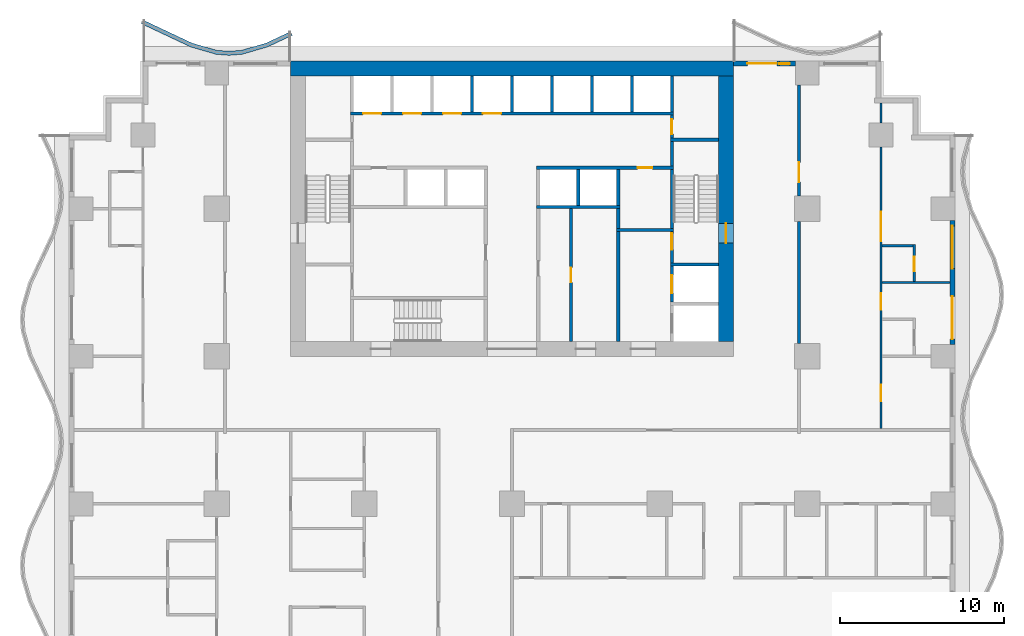
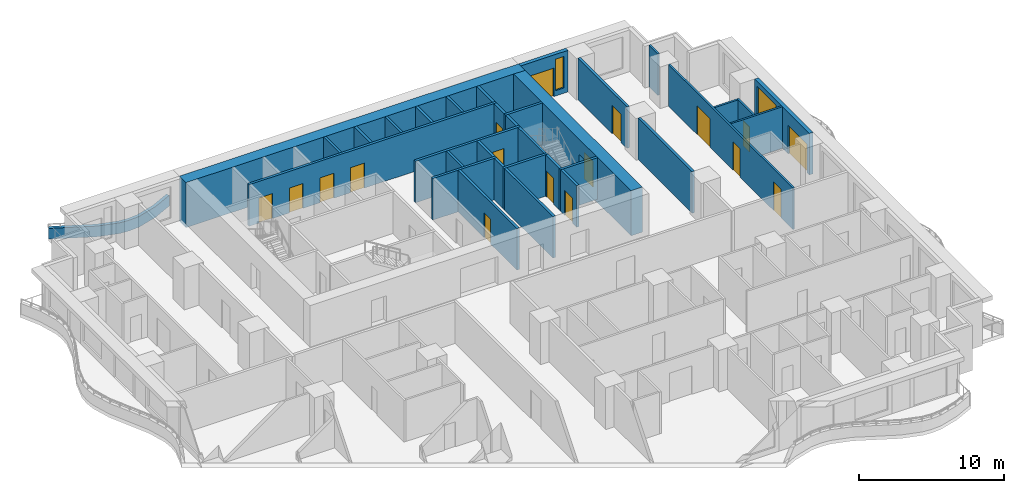
# One storey, part 6 of 14: 34 walls, 17 doors, 2 windows, 19 openings.
"""IFC4 building model written with IfcOpenShell, lengths in metres."""

from ifc_helpers import new_model, si_unit, direction, frame, frame_2d, origin, place, context, subcontext, project, spatial, polyline, rectangle, outline, extrude, material, layer, layer_set, type_object, element, fill, save


model = new_model("IFC4")

# Units and contexts
model_context = context("Model", 3, precision=1e-05, world=origin(), true_north=direction((0.0, 1.0)))
body_context = subcontext(model_context, "Body", "Model", "MODEL_VIEW")
ifc_project = project(units=[si_unit("LENGTHUNIT", "METRE"), si_unit("AREAUNIT", "SQUARE_METRE"), si_unit("VOLUMEUNIT", "CUBIC_METRE"), si_unit("PLANEANGLEUNIT", "RADIAN"), si_unit("MASSUNIT", "GRAM", prefix="KILO")], contexts=[model_context])

# Site, building, storey
site_placement = place(None, origin())
site = spatial("IfcSite", under=ifc_project, at=site_placement, CompositionType="ELEMENT")
building_placement = place(site_placement, origin())
building = spatial("IfcBuilding", under=site, at=building_placement, Name="Orbiselva Terraces", CompositionType="ELEMENT")
storey_placement = place(building_placement, frame((0.0, 0.0, 30.2)))
storey = spatial("IfcBuildingStorey", under=building, at=storey_placement, Name="L07", CompositionType="ELEMENT", Elevation=30.2)

# Wall, opening, door
ifc_material_1 = material(Name="Concrete C80/95", Category="concrete")
ifc_layer_1 = layer(ifc_material_1, 0.9)
ifc_layer_set_1 = layer_set([ifc_layer_1], Name="Concrete C80/95")
wall_type_1 = type_object("IfcWallType", Name="CORE WALL 900", PredefinedType="SHEAR", material=ifc_layer_set_1)
wall_1_placement = place(storey_placement, frame((13.05, 5.4, -0.3), z_axis=(0.0, 0.0, 1.0), x_axis=(0.0, 1.0, 0.0)))
wall_1 = element("IfcWall", 1, at=wall_1_placement, inside=storey, type_object=wall_type_1, Name="Core wall L07 east", PredefinedType="SHEAR", context=body_context, shape_type="SweptSolid", body=[
    extrude(rectangle(XDim=16.2, YDim=0.9, at=frame_2d((8.1, 0.0))), origin(), (0.0, 0.0, 1.0), 3.8),
])
opening_1_placement = place(wall_1_placement, frame((6.0, 0.0, 0.3)))
opening_1 = element("IfcOpeningElement", 2, at=opening_1_placement, cuts=wall_1, Name="Opening DS1200", PredefinedType="OPENING", context=body_context, shape_type="SweptSolid", body=[
    extrude(rectangle(XDim=1.2, YDim=2.2, at=frame_2d((0.6, 1.1))), frame((0.0, 0.46, 0.0), z_axis=(0.0, -1.0, 0.0), x_axis=(1.0, 0.0, 0.0)), (0.0, 0.0, 1.0), 0.92),
])
ifc_material_2 = material(Name="Steel fire door", Category="steel")
door_type_1 = type_object("IfcDoorType", Name="STAIR DOOR 1200", OperationType="NOTDEFINED", PredefinedType="DOOR", material=ifc_material_2)
door_1_placement = place(opening_1_placement, frame((1.2, 0.0, 0.0), z_axis=(0.0, 0.0, 1.0), x_axis=(-1.0, 0.0, 0.0)))
door_1 = element("IfcDoor", 3, at=door_1_placement, inside=storey, type_object=door_type_1, Name="L07 EXIT STAIR S2 door", OperationType="SINGLE_SWING_LEFT", OverallHeight=2.2, OverallWidth=1.2, PredefinedType="DOOR", context=body_context, shape_type="SweptSolid", body=[
    extrude(rectangle(XDim=1.2, YDim=2.2, at=frame_2d((0.6, 1.1))), frame((0.0, 0.025, 0.0), z_axis=(0.0, -1.0, 0.0), x_axis=(1.0, 0.0, 0.0)), (0.0, 0.0, 1.0), 0.05),
])
fill(opening_1, door_1)

# Wall
ifc_layer_2 = layer(ifc_material_1, 0.9)
ifc_layer_set_2 = layer_set([ifc_layer_2], Name="Concrete C80/95")
wall_type_2 = type_object("IfcWallType", Name="CORE WALL 900 EXTERNAL", PredefinedType="SHEAR", material=ifc_layer_set_2)
wall_2_placement = place(storey_placement, frame((13.5, 22.05, -0.3), z_axis=(0.0, 0.0, 1.0), x_axis=(-1.0, 0.0, 0.0)))
element("IfcWall", 4, at=wall_2_placement, inside=storey, type_object=wall_type_2, Name="Core wall L07 north", PredefinedType="SHEAR", context=body_context, shape_type="SweptSolid", body=[
    extrude(rectangle(XDim=27.0, YDim=0.9, at=frame_2d((13.5, 0.0))), origin(), (0.0, 0.0, 1.0), 3.8),
])

# Wall, opening, door
ifc_material_3 = material(Name="Masonry blockwork", Category="masonry")
ifc_layer_3 = layer(ifc_material_3, 0.2)
ifc_layer_set_3 = layer_set([ifc_layer_3], Name="Masonry blockwork")
wall_type_3 = type_object("IfcWallType", Name="CORE-WALL-PARTITION-200", PredefinedType="PARTITIONING", material=ifc_layer_set_3)
wall_3_placement = place(storey_placement, frame((3.6, 13.5, 0.0), z_axis=(0.0, 0.0, 1.0), x_axis=(0.0, -1.0, 0.0)))
wall_3 = element("IfcWall", 5, at=wall_3_placement, inside=storey, type_object=wall_type_3, Name="L07 core wall 28", PredefinedType="PARTITIONING", context=body_context, shape_type="SweptSolid", body=[
    extrude(rectangle(XDim=8.1, YDim=0.2, at=frame_2d((4.05, 0.0))), origin(), (0.0, 0.0, 1.0), 3.5),
])
opening_2_placement = place(wall_3_placement, frame((3.6, 0.0, 0.0)))
opening_2 = element("IfcOpeningElement", 6, at=opening_2_placement, cuts=wall_3, Name="Opening DR900", PredefinedType="OPENING", context=body_context, shape_type="SweptSolid", body=[
    extrude(rectangle(XDim=0.9, YDim=2.1, at=frame_2d((0.45, 1.05))), frame((0.0, 0.11, 0.0), z_axis=(0.0, -1.0, 0.0), x_axis=(1.0, 0.0, 0.0)), (0.0, 0.0, 1.0), 0.22),
])
door_type_2 = type_object("IfcDoorType", Name="ROOM DOOR 900", OperationType="NOTDEFINED", PredefinedType="DOOR", material=ifc_material_2)
door_2_placement = place(opening_2_placement, origin())
door_2 = element("IfcDoor", 7, at=door_2_placement, inside=storey, type_object=door_type_2, Name="L07 SERVICE ROOM door", OperationType="SINGLE_SWING_RIGHT", OverallHeight=2.1, OverallWidth=0.9, PredefinedType="DOOR", context=body_context, shape_type="SweptSolid", body=[
    extrude(rectangle(XDim=0.9, YDim=2.1, at=frame_2d((0.45, 1.05))), frame((0.0, 0.025, 0.0), z_axis=(0.0, -1.0, 0.0), x_axis=(1.0, 0.0, 0.0)), (0.0, 0.0, 1.0), 0.05),
])
fill(opening_2, door_2)

# Wall
wall_4_placement = place(storey_placement, frame((6.475, 12.3, 0.0), z_axis=(0.0, 0.0, 1.0), x_axis=(0.0, 1.0, 0.0)))
element("IfcWall", 8, at=wall_4_placement, inside=storey, type_object=wall_type_3, Name="L07 core wall 33", PredefinedType="PARTITIONING", context=body_context, shape_type="SweptSolid", body=[
    extrude(rectangle(XDim=1.2, YDim=0.2, at=frame_2d((0.6, 0.0))), origin(), (0.0, 0.0, 1.0), 3.5),
])

# Wall, opening, door
wall_5_placement = place(storey_placement, frame((9.75, 19.2, 0.0), z_axis=(0.0, 0.0, 1.0), x_axis=(0.0, -1.0, 0.0)))
wall_5 = element("IfcWall", 9, at=wall_5_placement, inside=storey, type_object=wall_type_3, Name="L07 core wall 44", PredefinedType="PARTITIONING", context=body_context, shape_type="SweptSolid", body=[
    extrude(rectangle(XDim=1.4, YDim=0.2, at=frame_2d((0.7, 0.0))), origin(), (0.0, 0.0, 1.0), 3.5),
])
opening_3_placement = place(wall_5_placement, frame((0.25, 0.0, 0.0)))
opening_3 = element("IfcOpeningElement", 10, at=opening_3_placement, cuts=wall_5, Name="Opening DR900", PredefinedType="OPENING", context=body_context, shape_type="SweptSolid", body=[
    extrude(rectangle(XDim=0.9, YDim=2.1, at=frame_2d((0.45, 1.05))), frame((0.0, 0.11, 0.0), z_axis=(0.0, -1.0, 0.0), x_axis=(1.0, 0.0, 0.0)), (0.0, 0.0, 1.0), 0.22),
])
door_3_placement = place(opening_3_placement, origin())
door_3 = element("IfcDoor", 11, at=door_3_placement, inside=storey, type_object=door_type_2, Name="L07 ELECTRICAL RISER ROOM door", OperationType="SINGLE_SWING_RIGHT", OverallHeight=2.1, OverallWidth=0.9, PredefinedType="DOOR", context=body_context, shape_type="SweptSolid", body=[
    extrude(rectangle(XDim=0.9, YDim=2.1, at=frame_2d((0.45, 1.05))), frame((0.0, 0.025, 0.0), z_axis=(0.0, -1.0, 0.0), x_axis=(1.0, 0.0, 0.0)), (0.0, 0.0, 1.0), 0.05),
])
fill(opening_3, door_3)

# Walls
ifc_material_4 = material(Name="Concrete C40/50", Category="concrete")
ifc_layer_4 = layer(ifc_material_4, 0.2)
ifc_layer_set_4 = layer_set([ifc_layer_4], Name="Concrete C40/50")
wall_type_4 = type_object("IfcWallType", Name="CORE-WALL-SHAFT-200", PredefinedType="PARTITIONING", material=ifc_layer_set_4)
for number, where, z_axis, x_axis, name in (
    (12, (-2.4375, 19.4, 0.0), (0.0, 0.0, 1.0), (0.0, 1.0, 0.0), "L07 core wall 18"),
    (13, (0.0, 19.4, 0.0), (0.0, 0.0, 1.0), (0.0, 1.0, 0.0), "L07 core wall 22"),
    (14, (2.4375, 19.4, 0.0), (0.0, 0.0, 1.0), (0.0, 1.0, 0.0), "L07 core wall 27"),
    (15, (4.0375, 13.7, 0.0), (0.0, 0.0, 1.0), (0.0, 1.0, 0.0), "L07 core wall 29"),
    (16, (4.875, 19.4, 0.0), (0.0, 0.0, 1.0), (0.0, 1.0, 0.0), "L07 core wall 30"),
    (17, (6.475, 13.7, 0.0), (0.0, 0.0, 1.0), (0.0, 1.0, 0.0), "L07 core wall 34"),
    (18, (7.3125, 19.4, 0.0), (0.0, 0.0, 1.0), (0.0, 1.0, 0.0), "L07 core wall 35"),
    (19, (9.75, 19.4, 0.0), (0.0, 0.0, 1.0), (0.0, 1.0, 0.0), "L07 core wall 45"),
):
    element("IfcWall", number, at=place(storey_placement, frame(where, z_axis=z_axis, x_axis=x_axis)), inside=storey, type_object=wall_type_4, Name=name, PredefinedType="PARTITIONING", context=body_context, shape_type="SweptSolid", body=[
        extrude(rectangle(XDim=2.2, YDim=0.2, at=frame_2d((1.1, 0.0))), origin(), (0.0, 0.0, 1.0), 3.5),
    ])

# Wall, openings, doors
ifc_material_5 = material(Name="Concrete C60/75", Category="concrete")
ifc_layer_5 = layer(ifc_material_5, 0.2)
ifc_layer_set_5 = layer_set([ifc_layer_5], Name="Concrete C60/75")
wall_type_5 = type_object("IfcWallType", Name="CORE-WALL-SHEAR-200", PredefinedType="SHEAR", material=ifc_layer_set_5)
wall_6_placement = place(storey_placement, frame((-9.85, 19.3, 0.0), z_axis=(0.0, 0.0, 1.0), x_axis=(1.0, 0.0, 0.0)))
wall_6 = element("IfcWall", 20, at=wall_6_placement, inside=storey, type_object=wall_type_5, Name="L07 core wall 12", PredefinedType="SHEAR", context=body_context, shape_type="SweptSolid", body=[
    extrude(rectangle(XDim=19.7, YDim=0.2, at=frame_2d((9.85, 0.0))), origin(), (0.0, 0.0, 1.0), 3.5),
])
opening_4_placement = place(wall_6_placement, frame((0.76875, 0.0, 0.0)))
opening_4 = element("IfcOpeningElement", 21, at=opening_4_placement, cuts=wall_6, Name="Opening LD-LR1", PredefinedType="OPENING", context=body_context, shape_type="SweptSolid", body=[
    extrude(rectangle(XDim=1.1, YDim=2.1, at=frame_2d((0.55, 1.05))), frame((0.0, 0.11, 0.0), z_axis=(0.0, -1.0, 0.0), x_axis=(1.0, 0.0, 0.0)), (0.0, 0.0, 1.0), 0.22),
])
opening_5_placement = place(wall_6_placement, frame((3.20625, 0.0, 0.0)))
opening_5 = element("IfcOpeningElement", 22, at=opening_5_placement, cuts=wall_6, Name="Opening LD-LR2", PredefinedType="OPENING", context=body_context, shape_type="SweptSolid", body=[
    extrude(rectangle(XDim=1.1, YDim=2.1, at=frame_2d((0.55, 1.05))), frame((0.0, 0.11, 0.0), z_axis=(0.0, -1.0, 0.0), x_axis=(1.0, 0.0, 0.0)), (0.0, 0.0, 1.0), 0.22),
])
opening_6_placement = place(wall_6_placement, frame((5.64375, 0.0, 0.0)))
opening_6 = element("IfcOpeningElement", 23, at=opening_6_placement, cuts=wall_6, Name="Opening LD-LR3", PredefinedType="OPENING", context=body_context, shape_type="SweptSolid", body=[
    extrude(rectangle(XDim=1.1, YDim=2.1, at=frame_2d((0.55, 1.05))), frame((0.0, 0.11, 0.0), z_axis=(0.0, -1.0, 0.0), x_axis=(1.0, 0.0, 0.0)), (0.0, 0.0, 1.0), 0.22),
])
opening_7_placement = place(wall_6_placement, frame((8.08125, 0.0, 0.0)))
opening_7 = element("IfcOpeningElement", 24, at=opening_7_placement, cuts=wall_6, Name="Opening LD-LR4", PredefinedType="OPENING", context=body_context, shape_type="SweptSolid", body=[
    extrude(rectangle(XDim=1.1, YDim=2.1, at=frame_2d((0.55, 1.05))), frame((0.0, 0.11, 0.0), z_axis=(0.0, -1.0, 0.0), x_axis=(1.0, 0.0, 0.0)), (0.0, 0.0, 1.0), 0.22),
])
ifc_material_6 = material(Name="Stainless steel landing door", Category="steel")
door_type_3 = type_object("IfcDoorType", Name="LANDING DOOR 1100", OperationType="SLIDING_TO_LEFT", PredefinedType="DOOR", material=ifc_material_6)
door_4_placement = place(opening_4_placement, origin())
door_4 = element("IfcDoor", 25, at=door_4_placement, inside=storey, type_object=door_type_3, Name="L07 landing door LR1", OperationType="SLIDING_TO_LEFT", OverallHeight=2.1, OverallWidth=1.1, PredefinedType="DOOR", context=body_context, shape_type="SweptSolid", body=[
    extrude(rectangle(XDim=1.1, YDim=2.1, at=frame_2d((0.55, 1.05))), frame((0.0, 0.025, 0.0), z_axis=(0.0, -1.0, 0.0), x_axis=(1.0, 0.0, 0.0)), (0.0, 0.0, 1.0), 0.05),
])
fill(opening_4, door_4)
door_5_placement = place(opening_5_placement, origin())
door_5 = element("IfcDoor", 26, at=door_5_placement, inside=storey, type_object=door_type_3, Name="L07 landing door LR2", OperationType="SLIDING_TO_LEFT", OverallHeight=2.1, OverallWidth=1.1, PredefinedType="DOOR", context=body_context, shape_type="SweptSolid", body=[
    extrude(rectangle(XDim=1.1, YDim=2.1, at=frame_2d((0.55, 1.05))), frame((0.0, 0.025, 0.0), z_axis=(0.0, -1.0, 0.0), x_axis=(1.0, 0.0, 0.0)), (0.0, 0.0, 1.0), 0.05),
])
fill(opening_5, door_5)
door_6_placement = place(opening_6_placement, origin())
door_6 = element("IfcDoor", 27, at=door_6_placement, inside=storey, type_object=door_type_3, Name="L07 landing door LR3", OperationType="SLIDING_TO_LEFT", OverallHeight=2.1, OverallWidth=1.1, PredefinedType="DOOR", context=body_context, shape_type="SweptSolid", body=[
    extrude(rectangle(XDim=1.1, YDim=2.1, at=frame_2d((0.55, 1.05))), frame((0.0, 0.025, 0.0), z_axis=(0.0, -1.0, 0.0), x_axis=(1.0, 0.0, 0.0)), (0.0, 0.0, 1.0), 0.05),
])
fill(opening_6, door_6)
door_7_placement = place(opening_7_placement, origin())
door_7 = element("IfcDoor", 28, at=door_7_placement, inside=storey, type_object=door_type_3, Name="L07 landing door LR4", OperationType="SLIDING_TO_LEFT", OverallHeight=2.1, OverallWidth=1.1, PredefinedType="DOOR", context=body_context, shape_type="SweptSolid", body=[
    extrude(rectangle(XDim=1.1, YDim=2.1, at=frame_2d((0.55, 1.05))), frame((0.0, 0.025, 0.0), z_axis=(0.0, -1.0, 0.0), x_axis=(1.0, 0.0, 0.0)), (0.0, 0.0, 1.0), 0.05),
])
fill(opening_7, door_7)

# Wall
wall_7_placement = place(storey_placement, frame((1.5, 13.6, 0.0), z_axis=(0.0, 0.0, 1.0), x_axis=(1.0, 0.0, 0.0)))
element("IfcWall", 29, at=wall_7_placement, inside=storey, type_object=wall_type_5, Name="L07 core wall 24", PredefinedType="SHEAR", context=body_context, shape_type="SweptSolid", body=[
    extrude(rectangle(XDim=5.075, YDim=0.2, at=frame_2d((2.5375, 0.0))), origin(), (0.0, 0.0, 1.0), 3.5),
])

# Wall, opening, door
wall_8_placement = place(storey_placement, frame((9.85, 16.0, 0.0), z_axis=(0.0, 0.0, 1.0), x_axis=(-1.0, 0.0, 0.0)))
wall_8 = element("IfcWall", 30, at=wall_8_placement, inside=storey, type_object=wall_type_5, Name="L07 core wall 26", PredefinedType="SHEAR", context=body_context, shape_type="SweptSolid", body=[
    extrude(rectangle(XDim=8.35, YDim=0.2, at=frame_2d((4.175, 0.0))), origin(), (0.0, 0.0, 1.0), 3.5),
])
opening_8_placement = place(wall_8_placement, frame((1.2875, 0.0, 0.0)))
opening_8 = element("IfcOpeningElement", 31, at=opening_8_placement, cuts=wall_8, Name="Opening DR900", PredefinedType="OPENING", context=body_context, shape_type="SweptSolid", body=[
    extrude(rectangle(XDim=0.9, YDim=2.1, at=frame_2d((0.45, 1.05))), frame((0.0, 0.11, 0.0), z_axis=(0.0, -1.0, 0.0), x_axis=(1.0, 0.0, 0.0)), (0.0, 0.0, 1.0), 0.22),
])
door_8_placement = place(opening_8_placement, origin())
door_8 = element("IfcDoor", 32, at=door_8_placement, inside=storey, type_object=door_type_2, Name="L07 PIPE RISER ROOM door", OperationType="SINGLE_SWING_LEFT", OverallHeight=2.1, OverallWidth=0.9, PredefinedType="DOOR", context=body_context, shape_type="SweptSolid", body=[
    extrude(rectangle(XDim=0.9, YDim=2.1, at=frame_2d((0.45, 1.05))), frame((0.0, 0.025, 0.0), z_axis=(0.0, -1.0, 0.0), x_axis=(1.0, 0.0, 0.0)), (0.0, 0.0, 1.0), 0.05),
])
fill(opening_8, door_8)

# Walls
wall_9_placement = place(storey_placement, frame((6.475, 5.4, 0.0), z_axis=(0.0, 0.0, 1.0), x_axis=(0.0, 1.0, 0.0)))
element("IfcWall", 33, at=wall_9_placement, inside=storey, type_object=wall_type_5, Name="L07 core wall 31", PredefinedType="SHEAR", context=body_context, shape_type="SweptSolid", body=[
    extrude(rectangle(XDim=6.7, YDim=0.2, at=frame_2d((3.35, 0.0))), origin(), (0.0, 0.0, 1.0), 3.5),
])
wall_10_placement = place(storey_placement, frame((6.375, 12.2, 0.0), z_axis=(0.0, 0.0, 1.0), x_axis=(1.0, 0.0, 0.0)))
element("IfcWall", 34, at=wall_10_placement, inside=storey, type_object=wall_type_5, Name="L07 core wall 32", PredefinedType="SHEAR", context=body_context, shape_type="SweptSolid", body=[
    extrude(rectangle(XDim=3.475, YDim=0.2, at=frame_2d((1.7375, 0.0))), origin(), (0.0, 0.0, 1.0), 3.5),
])

# Wall, opening, door
wall_11_placement = place(storey_placement, frame((9.75, 7.8, 0.0), z_axis=(0.0, 0.0, 1.0), x_axis=(0.0, 1.0, 0.0)))
wall_11 = element("IfcWall", 35, at=wall_11_placement, inside=storey, type_object=wall_type_5, Name="L07 core wall 38", PredefinedType="SHEAR", context=body_context, shape_type="SweptSolid", body=[
    extrude(rectangle(XDim=2.2, YDim=0.2, at=frame_2d((1.1, 0.0))), origin(), (0.0, 0.0, 1.0), 3.5),
])
opening_9_placement = place(wall_11_placement, frame((0.55, 0.0, 0.0)))
opening_9 = element("IfcOpeningElement", 36, at=opening_9_placement, cuts=wall_11, Name="Opening LD-FF2", PredefinedType="OPENING", context=body_context, shape_type="SweptSolid", body=[
    extrude(rectangle(XDim=1.1, YDim=2.1, at=frame_2d((0.55, 1.05))), frame((0.0, 0.11, 0.0), z_axis=(0.0, -1.0, 0.0), x_axis=(1.0, 0.0, 0.0)), (0.0, 0.0, 1.0), 0.22),
])
door_9_placement = place(opening_9_placement, origin())
door_9 = element("IfcDoor", 37, at=door_9_placement, inside=storey, type_object=door_type_3, Name="L07 landing door FF2", OperationType="SLIDING_TO_RIGHT", OverallHeight=2.1, OverallWidth=1.1, PredefinedType="DOOR", context=body_context, shape_type="SweptSolid", body=[
    extrude(rectangle(XDim=1.1, YDim=2.1, at=frame_2d((0.55, 1.05))), frame((0.0, 0.025, 0.0), z_axis=(0.0, -1.0, 0.0), x_axis=(1.0, 0.0, 0.0)), (0.0, 0.0, 1.0), 0.05),
])
fill(opening_9, door_9)

# Wall
wall_12_placement = place(storey_placement, frame((9.65, 10.1, 0.0), z_axis=(0.0, 0.0, 1.0), x_axis=(1.0, 0.0, 0.0)))
element("IfcWall", 38, at=wall_12_placement, inside=storey, type_object=wall_type_5, Name="L07 core wall 39", PredefinedType="SHEAR", context=body_context, shape_type="SweptSolid", body=[
    extrude(rectangle(XDim=2.95, YDim=0.2, at=frame_2d((1.475, 0.0))), origin(), (0.0, 0.0, 1.0), 3.5),
])

# Wall, opening, door
wall_13_placement = place(storey_placement, frame((9.75, 12.1, 0.0), z_axis=(0.0, 0.0, 1.0), x_axis=(0.0, -1.0, 0.0)))
wall_13 = element("IfcWall", 39, at=wall_13_placement, inside=storey, type_object=wall_type_5, Name="L07 core wall 40", PredefinedType="SHEAR", context=body_context, shape_type="SweptSolid", body=[
    extrude(rectangle(XDim=1.9, YDim=0.2, at=frame_2d((0.95, 0.0))), origin(), (0.0, 0.0, 1.0), 3.5),
])
opening_10_placement = place(wall_13_placement, frame((0.1, 0.0, 0.0)))
opening_10 = element("IfcOpeningElement", 40, at=opening_10_placement, cuts=wall_13, Name="Opening DS1000", PredefinedType="OPENING", context=body_context, shape_type="SweptSolid", body=[
    extrude(rectangle(XDim=1.0, YDim=2.2, at=frame_2d((0.5, 1.1))), frame((0.0, 0.11, 0.0), z_axis=(0.0, -1.0, 0.0), x_axis=(1.0, 0.0, 0.0)), (0.0, 0.0, 1.0), 0.22),
])
door_type_4 = type_object("IfcDoorType", Name="STAIR DOOR 1000", OperationType="NOTDEFINED", PredefinedType="DOOR", material=ifc_material_2)
door_10_placement = place(opening_10_placement, origin())
door_10 = element("IfcDoor", 41, at=door_10_placement, inside=storey, type_object=door_type_4, Name="L07 FIRE-FIGHTING LOBBY TO EXIT STAIR S2 door", OperationType="SINGLE_SWING_LEFT", OverallHeight=2.2, OverallWidth=1.0, PredefinedType="DOOR", context=body_context, shape_type="SweptSolid", body=[
    extrude(rectangle(XDim=1.0, YDim=2.2, at=frame_2d((0.5, 1.1))), frame((0.0, 0.025, 0.0), z_axis=(0.0, -1.0, 0.0), x_axis=(1.0, 0.0, 0.0)), (0.0, 0.0, 1.0), 0.05),
])
fill(opening_10, door_10)

# Walls
wall_14_placement = place(storey_placement, frame((9.75, 12.3, 0.0), z_axis=(0.0, 0.0, 1.0), x_axis=(0.0, 1.0, 0.0)))
element("IfcWall", 42, at=wall_14_placement, inside=storey, type_object=wall_type_5, Name="L07 core wall 41", PredefinedType="SHEAR", context=body_context, shape_type="SweptSolid", body=[
    extrude(rectangle(XDim=3.6, YDim=0.2, at=frame_2d((1.8, 0.0))), origin(), (0.0, 0.0, 1.0), 3.5),
])
wall_15_placement = place(storey_placement, frame((9.75, 16.1, 0.0), z_axis=(0.0, 0.0, 1.0), x_axis=(0.0, 1.0, 0.0)))
element("IfcWall", 43, at=wall_15_placement, inside=storey, type_object=wall_type_5, Name="L07 core wall 42", PredefinedType="SHEAR", context=body_context, shape_type="SweptSolid", body=[
    extrude(rectangle(XDim=1.5, YDim=0.2, at=frame_2d((0.75, 0.0))), origin(), (0.0, 0.0, 1.0), 3.5),
])
wall_16_placement = place(storey_placement, frame((9.65, 17.7, 0.0), z_axis=(0.0, 0.0, 1.0), x_axis=(1.0, 0.0, 0.0)))
element("IfcWall", 44, at=wall_16_placement, inside=storey, type_object=wall_type_5, Name="L07 core wall 43", PredefinedType="SHEAR", context=body_context, shape_type="SweptSolid", body=[
    extrude(rectangle(XDim=2.95, YDim=0.2, at=frame_2d((1.475, 0.0))), origin(), (0.0, 0.0, 1.0), 3.5),
])
ifc_layer_6 = layer(ifc_material_4, 0.25)
ifc_layer_set_6 = layer_set([ifc_layer_6], Name="Concrete C40/50")
wall_type_6 = type_object("IfcWallType", Name="ENV-PLANTER-250x900", PredefinedType="USERDEFINED", material=ifc_layer_set_6)
wall_17_placement = place(storey_placement, origin())
element("IfcWall", 45, at=wall_17_placement, inside=storey, type_object=wall_type_6, Name="Balcony planter L07 NW", ObjectType="PLANTER", PredefinedType="USERDEFINED", context=body_context, shape_type="SweptSolid", body=[
    extrude(outline(polyline([(-13.5, 24.3), (-15.0, 23.594658), (-16.5, 23.158732), (-17.25, 23.1), (-18.0, 23.158732), (-19.5, 23.594658), (-21.0, 24.3), (-22.5, 25.005342), (-22.606383, 24.779106), (-21.106383, 24.073764), (-19.588618, 23.360069), (-18.045114, 22.911499), (-17.25, 22.849235), (-16.454886, 22.911499), (-14.911382, 23.360069), (-13.393617, 24.073764), (-13.5, 24.3)])), origin(), (0.0, 0.0, 1.0), 0.9),
])

# Wall, openings, door, window
ifc_material_7 = material(Name="Terracotta cladding on masonry backing", Category="masonry")
ifc_layer_7 = layer(ifc_material_7, 0.3)
ifc_layer_set_7 = layer_set([ifc_layer_7], Name="Terracotta cladding on masonry backing")
wall_type_7 = type_object("IfcWallType", Name="ENV-WALL-TERRACOTTA-300", PredefinedType="SOLIDWALL", material=ifc_layer_set_7)
wall_18_placement = place(storey_placement, frame((26.85, 12.775, 0.0), z_axis=(0.0, 0.0, 1.0), x_axis=(0.0, -1.0, 0.0)))
wall_18 = element("IfcWall", 46, at=wall_18_placement, inside=storey, type_object=wall_type_7, Name="Facade wall L07 E", PredefinedType="SOLIDWALL", context=body_context, shape_type="SweptSolid", body=[
    extrude(rectangle(XDim=7.55, YDim=0.3, at=frame_2d((3.775, 0.0))), origin(), (0.0, 0.0, 1.0), 3.5),
])
opening_11_placement = place(wall_18_placement, frame((4.625, 0.0, 0.0)))
opening_11 = element("IfcOpeningElement", 47, at=opening_11_placement, cuts=wall_18, Name="Opening Z1-B-E14", PredefinedType="OPENING", context=body_context, shape_type="SweptSolid", body=[
    extrude(rectangle(XDim=2.6, YDim=2.4, at=frame_2d((1.3, 1.2))), frame((0.0, 0.16, 0.0), z_axis=(0.0, -1.0, 0.0), x_axis=(1.0, 0.0, 0.0)), (0.0, 0.0, 1.0), 0.32),
])
opening_12_placement = place(wall_18_placement, frame((0.325, 0.0, 0.45)))
opening_12 = element("IfcOpeningElement", 48, at=opening_12_placement, cuts=wall_18, Name="Opening WN1", PredefinedType="OPENING", context=body_context, shape_type="SweptSolid", body=[
    extrude(rectangle(XDim=2.6, YDim=2.65, at=frame_2d((1.3, 1.325))), frame((0.0, 0.16, 0.0), z_axis=(0.0, -1.0, 0.0), x_axis=(1.0, 0.0, 0.0)), (0.0, 0.0, 1.0), 0.32),
])
ifc_material_8 = material(Name="Clear low-e glazing in aluminium frame", Category="aluminium")
door_type_5 = type_object("IfcDoorType", Name="BALCONY DOOR 2600 X 2400", OperationType="DOUBLE_DOOR_SLIDING", PredefinedType="DOOR", material=ifc_material_8)
door_11_placement = place(opening_11_placement, origin())
door_11 = element("IfcDoor", 49, at=door_11_placement, inside=storey, type_object=door_type_5, Name="Z1-B-E14", OperationType="SINGLE_SWING_LEFT", OverallHeight=2.4, OverallWidth=2.6, PredefinedType="DOOR", context=body_context, shape_type="SweptSolid", body=[
    extrude(rectangle(XDim=2.6, YDim=2.4, at=frame_2d((1.3, 1.2))), frame((0.0, 0.025, 0.0), z_axis=(0.0, -1.0, 0.0), x_axis=(1.0, 0.0, 0.0)), (0.0, 0.0, 1.0), 0.05),
])
fill(opening_11, door_11)
window_type_1 = type_object("IfcWindowType", Name="WINDOW 2600 X 2650 S450", PartitioningType="TRIPLE_PANEL_VERTICAL", PredefinedType="WINDOW", material=ifc_material_8)
window_1_placement = place(opening_12_placement, origin())
window_1 = element("IfcWindow", 50, at=window_1_placement, inside=storey, type_object=window_type_1, Name="Window L07 E", OverallHeight=2.65, OverallWidth=2.6, PartitioningType="SINGLE_PANEL", PredefinedType="WINDOW", context=body_context, shape_type="SweptSolid", body=[
    extrude(rectangle(XDim=2.6, YDim=2.65, at=frame_2d((1.3, 1.325))), frame((0.0, 0.03, 0.0), z_axis=(0.0, -1.0, 0.0), x_axis=(1.0, 0.0, 0.0)), (0.0, 0.0, 1.0), 0.06),
])
fill(opening_12, window_1)

wall_19_placement = place(storey_placement, frame((13.5, 22.35, 0.0), z_axis=(0.0, 0.0, 1.0), x_axis=(1.0, 0.0, 0.0)))
wall_19 = element("IfcWall", 51, at=wall_19_placement, inside=storey, type_object=wall_type_7, Name="Facade wall L07 NE", PredefinedType="SOLIDWALL", context=body_context, shape_type="SweptSolid", body=[
    extrude(rectangle(XDim=3.775, YDim=0.3, at=frame_2d((1.8875, 0.0))), origin(), (0.0, 0.0, 1.0), 3.5),
])
opening_13_placement = place(wall_19_placement, frame((2.8, 0.0, 0.45)))
opening_13 = element("IfcOpeningElement", 52, at=opening_13_placement, cuts=wall_19, Name="Opening WN2", PredefinedType="OPENING", context=body_context, shape_type="SweptSolid", body=[
    extrude(rectangle(XDim=0.65, YDim=2.65, at=frame_2d((0.325, 1.325))), frame((0.0, 0.16, 0.0), z_axis=(0.0, -1.0, 0.0), x_axis=(1.0, 0.0, 0.0)), (0.0, 0.0, 1.0), 0.32),
])
opening_14_placement = place(wall_19_placement, frame((0.85, 0.0, 0.0)))
opening_14 = element("IfcOpeningElement", 53, at=opening_14_placement, cuts=wall_19, Name="Opening Z1-B-E15", PredefinedType="OPENING", context=body_context, shape_type="SweptSolid", body=[
    extrude(rectangle(XDim=1.8, YDim=2.4, at=frame_2d((0.9, 1.2))), frame((0.0, 0.16, 0.0), z_axis=(0.0, -1.0, 0.0), x_axis=(1.0, 0.0, 0.0)), (0.0, 0.0, 1.0), 0.32),
])
door_type_6 = type_object("IfcDoorType", Name="BALCONY DOOR 1800 X 2400", OperationType="DOUBLE_DOOR_SLIDING", PredefinedType="DOOR", material=ifc_material_8)
door_12_placement = place(opening_14_placement, origin())
door_12 = element("IfcDoor", 54, at=door_12_placement, inside=storey, type_object=door_type_6, Name="Z1-B-E15", OperationType="SINGLE_SWING_LEFT", OverallHeight=2.4, OverallWidth=1.8, PredefinedType="DOOR", context=body_context, shape_type="SweptSolid", body=[
    extrude(rectangle(XDim=1.8, YDim=2.4, at=frame_2d((0.9, 1.2))), frame((0.0, 0.025, 0.0), z_axis=(0.0, -1.0, 0.0), x_axis=(1.0, 0.0, 0.0)), (0.0, 0.0, 1.0), 0.05),
])
fill(opening_14, door_12)
window_type_2 = type_object("IfcWindowType", Name="WINDOW 650 X 2650 S450", PartitioningType="TRIPLE_PANEL_VERTICAL", PredefinedType="WINDOW", material=ifc_material_8)
window_2_placement = place(opening_13_placement, origin())
window_2 = element("IfcWindow", 55, at=window_2_placement, inside=storey, type_object=window_type_2, Name="Window L07 NE", OverallHeight=2.65, OverallWidth=0.65, PartitioningType="SINGLE_PANEL", PredefinedType="WINDOW", context=body_context, shape_type="SweptSolid", body=[
    extrude(rectangle(XDim=0.65, YDim=2.65, at=frame_2d((0.325, 1.325))), frame((0.0, 0.03, 0.0), z_axis=(0.0, -1.0, 0.0), x_axis=(1.0, 0.0, 0.0)), (0.0, 0.0, 1.0), 0.06),
])
fill(opening_13, window_2)

# Wall
ifc_material_9 = material(Name="Plasterboard on steel stud partition", Category="steel")
ifc_layer_8 = layer(ifc_material_9, 0.2)
ifc_layer_set_8 = layer_set([ifc_layer_8], Name="Plasterboard on steel stud partition")
wall_type_8 = type_object("IfcWallType", Name="UNIT-ENTRANCE-WALL-200", PredefinedType="PARTITIONING", material=ifc_layer_set_8)
wall_20_placement = place(storey_placement, frame((17.5, 5.275, 0.0), z_axis=(0.0, 0.0, 1.0), x_axis=(0.0, 1.0, 0.0)))
element("IfcWall", 56, at=wall_20_placement, inside=storey, type_object=wall_type_8, Name="PARTITION L07-074", PredefinedType="PARTITIONING", context=body_context, shape_type="SweptSolid", body=[
    extrude(rectangle(XDim=7.45, YDim=0.2, at=frame_2d((3.725, 0.0))), origin(), (0.0, 0.0, 1.0), 3.5),
])

# Wall, opening, door
wall_21_placement = place(storey_placement, frame((17.5, 21.05, 0.0), z_axis=(0.0, 0.0, 1.0), x_axis=(0.0, -1.0, 0.0)))
wall_21 = element("IfcWall", 57, at=wall_21_placement, inside=storey, type_object=wall_type_8, Name="PARTITION L07-075", PredefinedType="PARTITIONING", context=body_context, shape_type="SweptSolid", body=[
    extrude(rectangle(XDim=6.775, YDim=0.2, at=frame_2d((3.3875, 0.0))), origin(), (0.0, 0.0, 1.0), 3.5),
])
opening_15_placement = place(wall_21_placement, frame((4.725, 0.0, 0.0)))
opening_15 = element("IfcOpeningElement", 58, at=opening_15_placement, cuts=wall_21, Name="Opening Z1-B-07", PredefinedType="OPENING", context=body_context, shape_type="SweptSolid", body=[
    extrude(rectangle(XDim=1.2, YDim=2.4, at=frame_2d((0.6, 1.2))), frame((0.0, 0.11, 0.0), z_axis=(0.0, -1.0, 0.0), x_axis=(1.0, 0.0, 0.0)), (0.0, 0.0, 1.0), 0.22),
])
ifc_material_10 = material(Name="Painted timber door leaf", Category="wood")
door_type_7 = type_object("IfcDoorType", Name="ENTRANCE DOOR 1200", OperationType="NOTDEFINED", PredefinedType="DOOR", material=ifc_material_10)
door_13_placement = place(opening_15_placement, origin())
door_13 = element("IfcDoor", 59, at=door_13_placement, inside=storey, type_object=door_type_7, Name="Z1-B-07", OperationType="SINGLE_SWING_RIGHT", OverallHeight=2.4, OverallWidth=1.2, PredefinedType="DOOR", context=body_context, shape_type="SweptSolid", body=[
    extrude(rectangle(XDim=1.2, YDim=2.4, at=frame_2d((0.6, 1.2))), frame((0.0, 0.025, 0.0), z_axis=(0.0, -1.0, 0.0), x_axis=(1.0, 0.0, 0.0)), (0.0, 0.0, 1.0), 0.05),
])
fill(opening_15, door_13)

# Walls
ifc_layer_9 = layer(ifc_material_9, 0.15)
ifc_layer_set_9 = layer_set([ifc_layer_9], Name="Plasterboard on steel stud partition")
wall_type_9 = type_object("IfcWallType", Name="UNIT-PARTITION-150", PredefinedType="PARTITIONING", material=ifc_layer_set_9)
wall_22_placement = place(storey_placement, frame((22.575, 9.0, 0.0), z_axis=(0.0, 0.0, 1.0), x_axis=(1.0, 0.0, 0.0)))
element("IfcWall", 60, at=wall_22_placement, inside=storey, type_object=wall_type_9, Name="PARTITION L07-035", PredefinedType="PARTITIONING", context=body_context, shape_type="SweptSolid", body=[
    extrude(rectangle(XDim=4.125, YDim=0.15, at=frame_2d((2.0625, 0.0))), origin(), (0.0, 0.0, 1.0), 3.5),
])
wall_23_placement = place(storey_placement, frame((22.575, 11.25, 0.0), z_axis=(0.0, 0.0, 1.0), x_axis=(1.0, 0.0, 0.0)))
element("IfcWall", 61, at=wall_23_placement, inside=storey, type_object=wall_type_9, Name="PARTITION L07-037", PredefinedType="PARTITIONING", context=body_context, shape_type="SweptSolid", body=[
    extrude(rectangle(XDim=1.875, YDim=0.15, at=frame_2d((0.9375, 0.0))), origin(), (0.0, 0.0, 1.0), 3.5),
])

# Wall, openings, doors
wall_24_placement = place(storey_placement, frame((22.5, 17.275, 0.0), z_axis=(0.0, 0.0, 1.0), x_axis=(0.0, -1.0, 0.0)))
wall_24 = element("IfcWall", 62, at=wall_24_placement, inside=storey, type_object=wall_type_9, Name="PARTITION L07-082", PredefinedType="PARTITIONING", context=body_context, shape_type="SweptSolid", body=[
    extrude(rectangle(XDim=17.175, YDim=0.15, at=frame_2d((8.5875, 0.0))), origin(), (0.0, 0.0, 1.0), 3.5),
])
opening_16_placement = place(wall_24_placement, frame((14.525, 0.0, 0.0)))
opening_16 = element("IfcOpeningElement", 63, at=opening_16_placement, cuts=wall_24, Name="Opening Z1-B-08", PredefinedType="OPENING", context=body_context, shape_type="SweptSolid", body=[
    extrude(rectangle(XDim=1.0, YDim=2.4, at=frame_2d((0.5, 1.2))), frame((0.0, 0.085, 0.0), z_axis=(0.0, -1.0, 0.0), x_axis=(1.0, 0.0, 0.0)), (0.0, 0.0, 1.0), 0.17),
])
opening_17_placement = place(wall_24_placement, frame((8.925, 0.0, 0.0)))
opening_17 = element("IfcOpeningElement", 64, at=opening_17_placement, cuts=wall_24, Name="Opening Z1-B-09", PredefinedType="OPENING", context=body_context, shape_type="SweptSolid", body=[
    extrude(rectangle(XDim=1.0, YDim=2.4, at=frame_2d((0.5, 1.2))), frame((0.0, 0.085, 0.0), z_axis=(0.0, -1.0, 0.0), x_axis=(1.0, 0.0, 0.0)), (0.0, 0.0, 1.0), 0.17),
])
opening_18_placement = place(wall_24_placement, frame((3.975, 0.0, 0.0)))
opening_18 = element("IfcOpeningElement", 65, at=opening_18_placement, cuts=wall_24, Name="Opening Z1-B-11", PredefinedType="OPENING", context=body_context, shape_type="SweptSolid", body=[
    extrude(rectangle(XDim=1.8, YDim=2.4, at=frame_2d((0.9, 1.2))), frame((0.0, 0.085, 0.0), z_axis=(0.0, -1.0, 0.0), x_axis=(1.0, 0.0, 0.0)), (0.0, 0.0, 1.0), 0.17),
])
door_type_8 = type_object("IfcDoorType", Name="DOUBLE DOOR 1800", OperationType="NOTDEFINED", PredefinedType="DOOR", material=ifc_material_10)
door_14_placement = place(opening_18_placement, origin())
door_14 = element("IfcDoor", 66, at=door_14_placement, inside=storey, type_object=door_type_8, Name="Z1-B-11", OperationType="DOUBLE_DOOR_SINGLE_SWING", OverallHeight=2.4, OverallWidth=1.8, PredefinedType="DOOR", context=body_context, shape_type="SweptSolid", body=[
    extrude(rectangle(XDim=1.8, YDim=2.4, at=frame_2d((0.9, 1.2))), frame((0.0, 0.025, 0.0), z_axis=(0.0, -1.0, 0.0), x_axis=(1.0, 0.0, 0.0)), (0.0, 0.0, 1.0), 0.05),
])
fill(opening_18, door_14)
door_type_9 = type_object("IfcDoorType", Name="ROOM DOOR 1000", OperationType="NOTDEFINED", PredefinedType="DOOR", material=ifc_material_10)
door_15_placement = place(opening_16_placement, origin())
door_15 = element("IfcDoor", 67, at=door_15_placement, inside=storey, type_object=door_type_9, Name="Z1-B-08", OperationType="SINGLE_SWING_RIGHT", OverallHeight=2.4, OverallWidth=1.0, PredefinedType="DOOR", context=body_context, shape_type="SweptSolid", body=[
    extrude(rectangle(XDim=1.0, YDim=2.4, at=frame_2d((0.5, 1.2))), frame((0.0, 0.025, 0.0), z_axis=(0.0, -1.0, 0.0), x_axis=(1.0, 0.0, 0.0)), (0.0, 0.0, 1.0), 0.05),
])
fill(opening_16, door_15)
door_16_placement = place(opening_17_placement, origin())
door_16 = element("IfcDoor", 68, at=door_16_placement, inside=storey, type_object=door_type_9, Name="Z1-B-09", OperationType="SINGLE_SWING_RIGHT", OverallHeight=2.4, OverallWidth=1.0, PredefinedType="DOOR", context=body_context, shape_type="SweptSolid", body=[
    extrude(rectangle(XDim=1.0, YDim=2.4, at=frame_2d((0.5, 1.2))), frame((0.0, 0.025, 0.0), z_axis=(0.0, -1.0, 0.0), x_axis=(1.0, 0.0, 0.0)), (0.0, 0.0, 1.0), 0.05),
])
fill(opening_17, door_16)

# Wall
wall_25_placement = place(storey_placement, frame((22.5, 18.725, 0.0), z_axis=(0.0, 0.0, 1.0), x_axis=(0.0, 1.0, 0.0)))
element("IfcWall", 69, at=wall_25_placement, inside=storey, type_object=wall_type_9, Name="PARTITION L07-083", PredefinedType="PARTITIONING", context=body_context, shape_type="SweptSolid", body=[
    extrude(rectangle(XDim=1.225, YDim=0.15, at=frame_2d((0.6125, 0.0))), origin(), (0.0, 0.0, 1.0), 3.5),
])

# Wall, opening, door
wall_26_placement = place(storey_placement, frame((24.525, 9.075, 0.0), z_axis=(0.0, 0.0, 1.0), x_axis=(0.0, 1.0, 0.0)))
wall_26 = element("IfcWall", 70, at=wall_26_placement, inside=storey, type_object=wall_type_9, Name="PARTITION L07-085", PredefinedType="PARTITIONING", context=body_context, shape_type="SweptSolid", body=[
    extrude(rectangle(XDim=2.25, YDim=0.15, at=frame_2d((1.125, 0.0))), origin(), (0.0, 0.0, 1.0), 3.5),
])
opening_19_placement = place(wall_26_placement, frame((0.6, 0.0, 0.0)))
opening_19 = element("IfcOpeningElement", 71, at=opening_19_placement, cuts=wall_26, Name="Opening Z1-B-12", PredefinedType="OPENING", context=body_context, shape_type="SweptSolid", body=[
    extrude(rectangle(XDim=0.9, YDim=2.1, at=frame_2d((0.45, 1.05))), frame((0.0, 0.085, 0.0), z_axis=(0.0, -1.0, 0.0), x_axis=(1.0, 0.0, 0.0)), (0.0, 0.0, 1.0), 0.17),
])
door_type_10 = type_object("IfcDoorType", Name="BATH DOOR 900", OperationType="NOTDEFINED", PredefinedType="DOOR", material=ifc_material_10)
door_17_placement = place(opening_19_placement, origin())
door_17 = element("IfcDoor", 72, at=door_17_placement, inside=storey, type_object=door_type_10, Name="Z1-B-12", OperationType="SINGLE_SWING_LEFT", OverallHeight=2.1, OverallWidth=0.9, PredefinedType="DOOR", context=body_context, shape_type="SweptSolid", body=[
    extrude(rectangle(XDim=0.9, YDim=2.1, at=frame_2d((0.45, 1.05))), frame((0.0, 0.025, 0.0), z_axis=(0.0, -1.0, 0.0), x_axis=(1.0, 0.0, 0.0)), (0.0, 0.0, 1.0), 0.05),
])
fill(opening_19, door_17)

save(model, "model.ifc")
